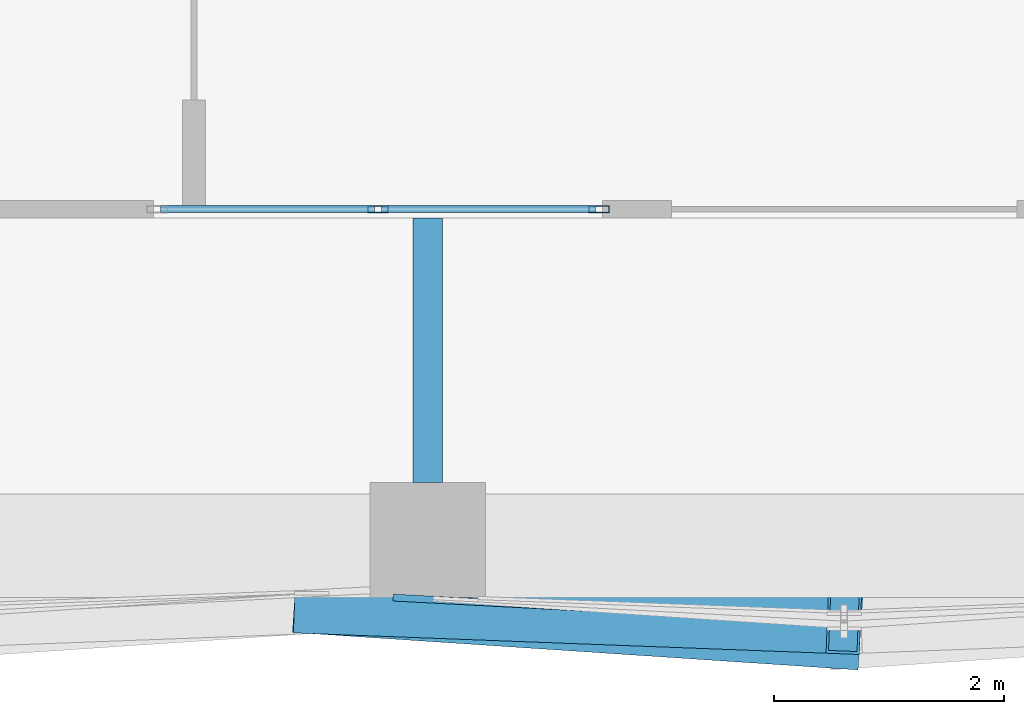
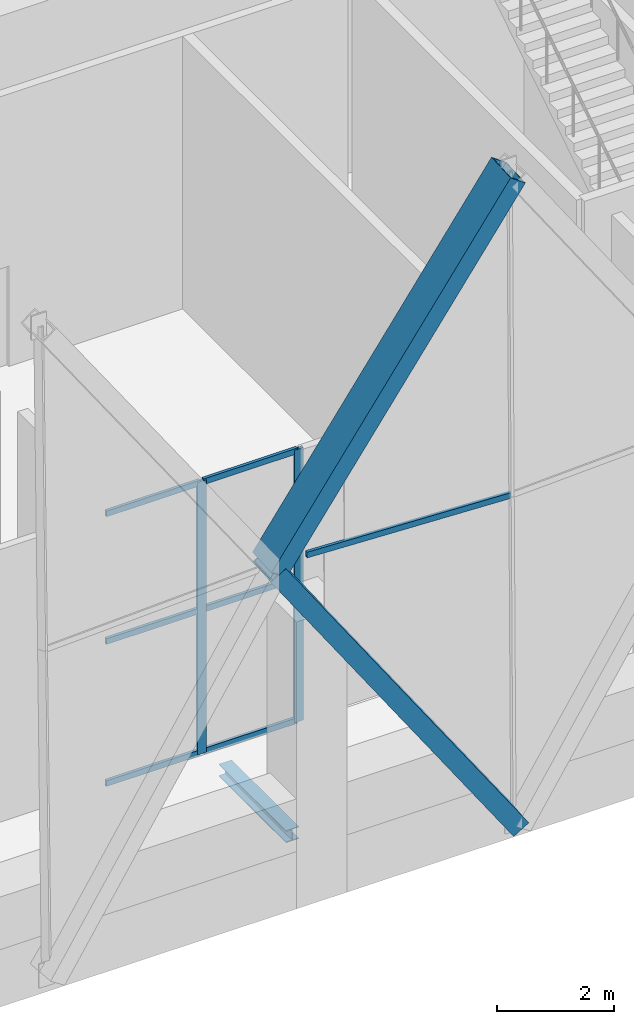
# One storey, part 8 of 43: 11 members, 1 beam, 2 elements without a shape of their own.
"""IFC4 building model written with IfcOpenShell, lengths in metres."""

from ifc_helpers import new_model, si_unit, direction, frame, origin, origin_2d, place, context, subcontext, project, spatial, hollow_rectangle, i_section, extrude, material, material_profile, profile_set, type_object, element, aggregate, save


model = new_model("IFC4")

# Units and contexts
model_context = context("Model", 3, precision=1e-05, world=origin(), true_north=direction((0.0, 1.0)))
body_context = subcontext(model_context, "Body", "Model", "MODEL_VIEW")
ifc_project = project(units=[si_unit("LENGTHUNIT", "METRE"), si_unit("AREAUNIT", "SQUARE_METRE"), si_unit("VOLUMEUNIT", "CUBIC_METRE"), si_unit("PLANEANGLEUNIT", "RADIAN"), si_unit("MASSUNIT", "GRAM", prefix="KILO")], contexts=[model_context])

# Site, building, storey
site_placement = place(None, origin())
site = spatial("IfcSite", under=ifc_project, at=site_placement, CompositionType="ELEMENT")
building_placement = place(site_placement, origin())
building = spatial("IfcBuilding", under=site, at=building_placement, Name="Ostrander Bayou Hotel Tower", CompositionType="ELEMENT")
storey_placement = place(building_placement, frame((0.0, 0.0, 151.0)))
storey = spatial("IfcBuildingStorey", under=building, at=storey_placement, Name="L37", CompositionType="ELEMENT", Elevation=151.0)

# Curtain wall, member
ifc_material_1 = material(Name="Aluminium and clear glass", Category="aluminium")
curtain_wall_type_1 = type_object("IfcCurtainWallType", Name="CW-LAT lattice glazing", PredefinedType="NOTDEFINED", material=ifc_material_1)
curtain_wall_1_placement = place(storey_placement, origin())
curtain_wall_1 = element("IfcCurtainWall", 1, at=curtain_wall_1_placement, inside=storey, type_object=curtain_wall_type_1, Name="CW-LAT L37 S 2", PredefinedType="NOTDEFINED")
ifc_material_2 = material(Name="Aluminium", Category="aluminium")
ifc_material_profile_1 = material_profile(ifc_material_2, hollow_rectangle(XDim=0.06005859375, YDim=0.1201171875, WallThickness=0.00390625, at=origin_2d()))
ifc_profile_set_1 = profile_set([ifc_material_profile_1], Name="Aluminium")
member_type_1 = type_object("IfcMemberType", Name="CW-LA transom 60 x 120 mm", PredefinedType="USERDEFINED", material=ifc_profile_set_1)
member_1_placement = place(storey_placement, frame((0.0, -19.00439453125, 6.14990234375), z_axis=(-0.998643486502, 0.052069058631, 0.0), x_axis=(-0.052069058631, -0.998643486502, 0.0)))
member_1 = element("IfcMember", 2, at=member_1_placement, type_object=member_type_1, Name="CW-LAT transom 6", ObjectType="TRANSOM", PredefinedType="USERDEFINED", context=body_context, shape_type="SweptSolid", body=[
    extrude(hollow_rectangle(XDim=0.06005859375, YDim=0.1201171875, WallThickness=0.00390625, at=origin_2d()), origin(), (0.0, 0.0, 1.0), 3.924560546875),
])
aggregate(curtain_wall_1, [member_1])

# Curtain wall, members
ifc_material_3 = material(Name="Aluminium and clear glass", Category="aluminium")
curtain_wall_type_2 = type_object("IfcCurtainWallType", Name="CW-SKY amenity glass wall", PredefinedType="NOTDEFINED", material=ifc_material_3)
curtain_wall_2_placement = place(storey_placement, origin())
curtain_wall_2 = element("IfcCurtainWall", 3, at=curtain_wall_2_placement, inside=storey, type_object=curtain_wall_type_2, Name="CW-SKY L37 S 1", PredefinedType="NOTDEFINED")
ifc_material_4 = material(Name="Aluminium", Category="aluminium")
ifc_material_profile_2 = material_profile(ifc_material_4, hollow_rectangle(XDim=0.06005859375, YDim=0.179931640625, WallThickness=0.00390625, at=origin_2d()))
ifc_profile_set_2 = profile_set([ifc_material_profile_2], Name="Aluminium")
member_type_2 = type_object("IfcMemberType", Name="CW-SK mullion 60 x 180 mm", PredefinedType="MULLION", material=ifc_profile_set_2)
member_2_placement = place(storey_placement, frame((-4.050048828125, -15.425048828125, 0.0), z_axis=(0.0, 0.0, 1.0), x_axis=(0.0, 1.0, 0.0)))
member_2 = element("IfcMember", 4, at=member_2_placement, type_object=member_type_2, Name="CW-SKY mullion 2", PredefinedType="MULLION", context=body_context, shape_type="SweptSolid", body=[
    extrude(hollow_rectangle(XDim=0.06005859375, YDim=0.179931640625, WallThickness=0.00390625, at=origin_2d()), origin(), (0.0, 0.0, 1.0), 5.699951171875),
])
member_3_placement = place(storey_placement, frame((-2.1298828125, -15.425048828125, 0.0), z_axis=(0.0, 0.0, 1.0), x_axis=(0.0, 1.0, 0.0)))
member_3 = element("IfcMember", 5, at=member_3_placement, type_object=member_type_2, Name="CW-SKY mullion 3", PredefinedType="MULLION", context=body_context, shape_type="SweptSolid", body=[
    extrude(hollow_rectangle(XDim=0.06005859375, YDim=0.179931640625, WallThickness=0.00390625, at=origin_2d()), origin(), (0.0, 0.0, 1.0), 5.699951171875),
])
ifc_material_5 = material(Name="Aluminium", Category="aluminium")
ifc_material_profile_3 = material_profile(ifc_material_5, hollow_rectangle(XDim=0.06005859375, YDim=0.1201171875, WallThickness=0.00390625, at=origin_2d()))
ifc_profile_set_3 = profile_set([ifc_material_profile_3], Name="Aluminium")
member_type_3 = type_object("IfcMemberType", Name="CW-SK transom 60 x 120 mm", PredefinedType="USERDEFINED", material=ifc_profile_set_3)
member_4_placement = place(storey_placement, frame((-5.93994140625, -15.425048828125, 0.030029296875), z_axis=(1.0, 0.0, 0.0), x_axis=(0.0, 1.0, 0.0)))
member_4 = element("IfcMember", 6, at=member_4_placement, type_object=member_type_3, Name="CW-SKY transom 1.1", ObjectType="TRANSOM", PredefinedType="USERDEFINED", context=body_context, shape_type="SweptSolid", body=[
    extrude(hollow_rectangle(XDim=0.06005859375, YDim=0.1201171875, WallThickness=0.00390625, at=origin_2d()), origin(), (0.0, 0.0, 1.0), 1.85986328125),
])
member_5_placement = place(storey_placement, frame((-5.93994140625, -15.425048828125, 3.0), z_axis=(1.0, 0.0, 0.0), x_axis=(0.0, 1.0, 0.0)))
member_5 = element("IfcMember", 7, at=member_5_placement, type_object=member_type_3, Name="CW-SKY transom 1.2", ObjectType="TRANSOM", PredefinedType="USERDEFINED", context=body_context, shape_type="SweptSolid", body=[
    extrude(hollow_rectangle(XDim=0.06005859375, YDim=0.1201171875, WallThickness=0.00390625, at=origin_2d()), origin(), (0.0, 0.0, 1.0), 1.85986328125),
])
member_6_placement = place(storey_placement, frame((-5.93994140625, -15.425048828125, 5.669921875), z_axis=(1.0, 0.0, 0.0), x_axis=(0.0, 1.0, 0.0)))
member_6 = element("IfcMember", 8, at=member_6_placement, type_object=member_type_3, Name="CW-SKY transom 1.3", ObjectType="TRANSOM", PredefinedType="USERDEFINED", context=body_context, shape_type="SweptSolid", body=[
    extrude(hollow_rectangle(XDim=0.06005859375, YDim=0.1201171875, WallThickness=0.00390625, at=origin_2d()), origin(), (0.0, 0.0, 1.0), 1.85986328125),
])
member_7_placement = place(storey_placement, frame((-4.02001953125, -15.425048828125, 0.030029296875), z_axis=(1.0, 0.0, 0.0), x_axis=(0.0, 1.0, 0.0)))
member_7 = element("IfcMember", 9, at=member_7_placement, type_object=member_type_3, Name="CW-SKY transom 2.1", ObjectType="TRANSOM", PredefinedType="USERDEFINED", context=body_context, shape_type="SweptSolid", body=[
    extrude(hollow_rectangle(XDim=0.06005859375, YDim=0.1201171875, WallThickness=0.00390625, at=origin_2d()), origin(), (0.0, 0.0, 1.0), 1.860107421875),
])
member_8_placement = place(storey_placement, frame((-4.02001953125, -15.425048828125, 3.0), z_axis=(1.0, 0.0, 0.0), x_axis=(0.0, 1.0, 0.0)))
member_8 = element("IfcMember", 10, at=member_8_placement, type_object=member_type_3, Name="CW-SKY transom 2.2", ObjectType="TRANSOM", PredefinedType="USERDEFINED", context=body_context, shape_type="SweptSolid", body=[
    extrude(hollow_rectangle(XDim=0.06005859375, YDim=0.1201171875, WallThickness=0.00390625, at=origin_2d()), origin(), (0.0, 0.0, 1.0), 1.860107421875),
])
member_9_placement = place(storey_placement, frame((-4.02001953125, -15.425048828125, 5.669921875), z_axis=(1.0, 0.0, 0.0), x_axis=(0.0, 1.0, 0.0)))
member_9 = element("IfcMember", 11, at=member_9_placement, type_object=member_type_3, Name="CW-SKY transom 2.3", ObjectType="TRANSOM", PredefinedType="USERDEFINED", context=body_context, shape_type="SweptSolid", body=[
    extrude(hollow_rectangle(XDim=0.06005859375, YDim=0.1201171875, WallThickness=0.00390625, at=origin_2d()), origin(), (0.0, 0.0, 1.0), 1.860107421875),
])
aggregate(curtain_wall_2, [member_2, member_3, member_4, member_5, member_6, member_7, member_8, member_9])

# Beam
ifc_material_6 = material(Name="Steel ASTM A992", Category="steel")
ifc_material_profile_4 = material_profile(ifc_material_6, i_section(OverallWidth=0.25390625, OverallDepth=0.25341796875, WebThickness=0.008544921875, FlangeThickness=0.01416015625, at=origin_2d()))
ifc_profile_set_4 = profile_set([ifc_material_profile_4], Name="Steel ASTM A992")
beam_type = type_object("IfcBeamType", Name="LB2 loggia bracket W10x49", PredefinedType="BEAM", material=ifc_profile_set_4)
beam_placement = place(storey_placement, frame((-3.6181640625, -17.800048828125, -0.4267578125), z_axis=(0.0, 1.0, 0.0), x_axis=(-1.0, 0.0, 0.0)))
element("IfcBeam", 12, at=beam_placement, inside=storey, type_object=beam_type, Name="LB2 L37 S1", PredefinedType="BEAM", context=body_context, shape_type="SweptSolid", body=[
    extrude(i_section(OverallWidth=0.25390625, OverallDepth=0.25341796875, WebThickness=0.008544921875, FlangeThickness=0.01416015625, at=origin_2d()), origin(), (0.0, 0.0, 1.0), 2.300048828125),
])

# Members
ifc_material_7 = material(Name="Steel ASTM A572 Gr 50", Category="steel")
ifc_material_profile_5 = material_profile(ifc_material_7, hollow_rectangle(XDim=0.699951171875, YDim=0.35009765625, WallThickness=0.02490234375, at=origin_2d()))
ifc_profile_set_5 = profile_set([ifc_material_profile_5], Name="Steel ASTM A572 Gr 50")
member_type_4 = type_object("IfcMemberType", Name="LT1 lattice member box 700 x 350 x 25 mm", PredefinedType="BRACE", material=ifc_profile_set_5)
member_10_placement = place(storey_placement, frame((-4.628173828125, -18.762939453125, 6.14990234375), z_axis=(0.565097551785, -0.037500275368, -0.824171393773), x_axis=(0.066215074127, 0.997805373787, 0.0)))
element("IfcMember", 13, at=member_10_placement, inside=storey, type_object=member_type_4, Name="LT1 L37 S 3", PredefinedType="BRACE", context=body_context, shape_type="SweptSolid", body=[
    extrude(hollow_rectangle(XDim=0.699951171875, YDim=0.35009765625, WallThickness=0.02490234375, at=origin_2d()), origin(), (0.0, 0.0, 1.0), 8.18994140625),
])
member_11_placement = place(storey_placement, frame((-4.628173828125, -18.762939453125, 6.14990234375), z_axis=(0.565364199795, -0.021532571201, 0.824560288861), x_axis=(0.038058601966, 0.999275508965, 0.0)))
element("IfcMember", 14, at=member_11_placement, inside=storey, type_object=member_type_4, Name="LT1 L37 S 4", PredefinedType="BRACE", context=body_context, shape_type="SweptSolid", body=[
    extrude(hollow_rectangle(XDim=0.699951171875, YDim=0.35009765625, WallThickness=0.02490234375, at=origin_2d()), origin(), (0.0, 0.0, 1.0), 8.186279296875),
])

save(model, "model.ifc")
